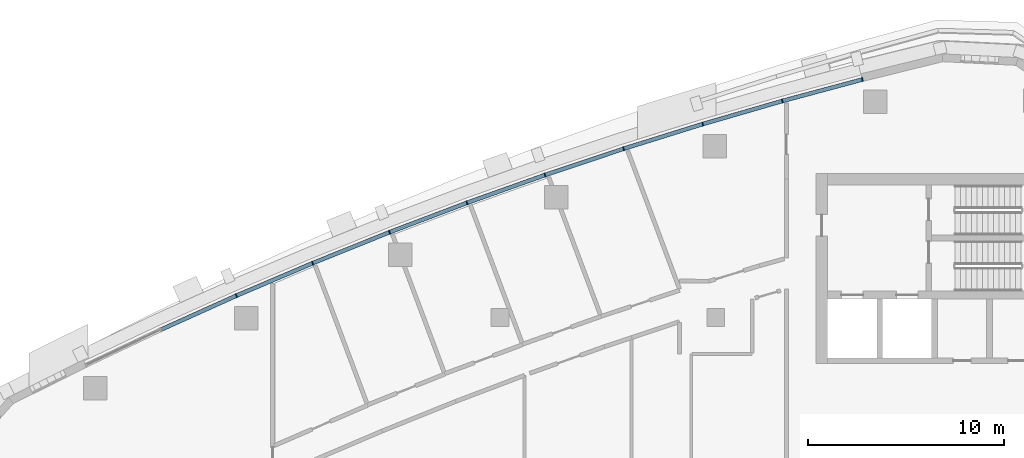
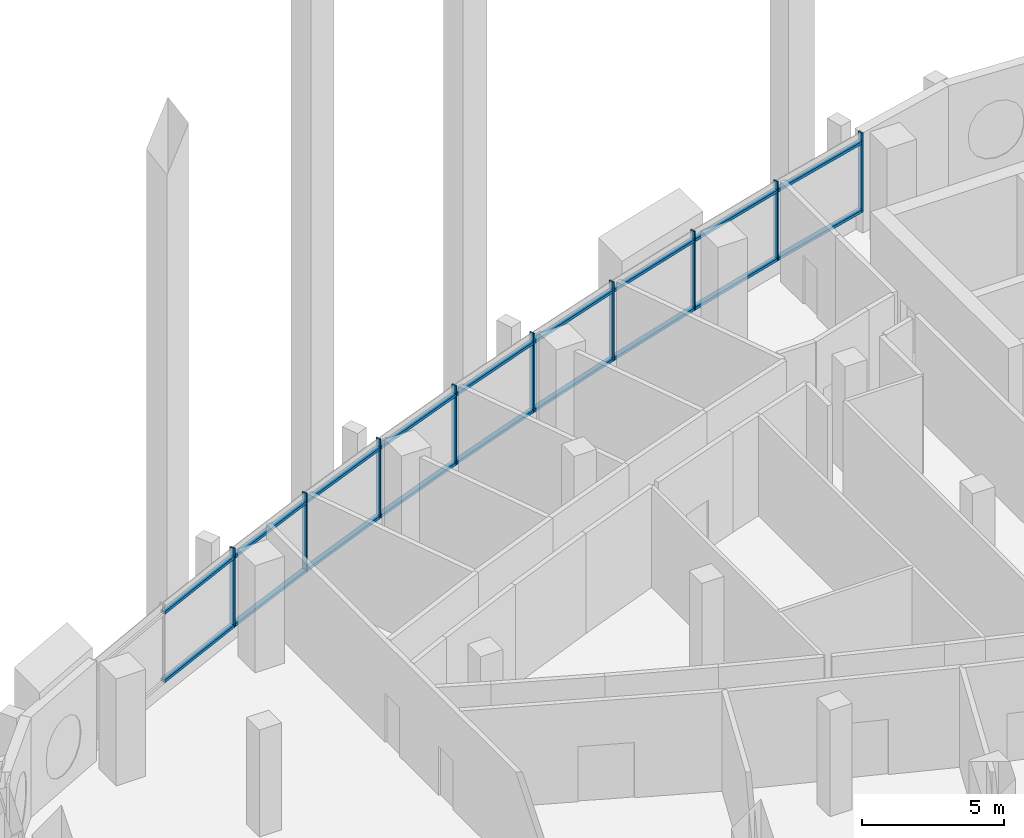
# One storey, part 4 of 15: 27 members, 5 elements without a shape of their own.
"""IFC4 building model written with IfcOpenShell, lengths in metres."""

from ifc_helpers import new_model, si_unit, direction, frame, origin, origin_2d, place, context, subcontext, project, spatial, rectangle, extrude, material, layer, layer_set, material_profile, profile_set, type_object, element, aggregate, save


model = new_model("IFC4")

# Units and contexts
model_context = context("Model", 3, precision=1e-05, world=origin(), true_north=direction((0.0, 1.0)))
body_context = subcontext(model_context, "Body", "Model", "MODEL_VIEW")
ifc_project = project(units=[si_unit("LENGTHUNIT", "METRE"), si_unit("AREAUNIT", "SQUARE_METRE"), si_unit("VOLUMEUNIT", "CUBIC_METRE"), si_unit("PLANEANGLEUNIT", "RADIAN"), si_unit("MASSUNIT", "GRAM", prefix="KILO")], contexts=[model_context])

# Site, building, storey
site_placement = place(None, origin())
site = spatial("IfcSite", under=ifc_project, at=site_placement, CompositionType="ELEMENT")
building_placement = place(site_placement, origin())
building = spatial("IfcBuilding", under=site, at=building_placement, Name="Ostrand Prow Hotel Tower", CompositionType="ELEMENT")
storey_placement = place(building_placement, frame((0.0, 0.0, 216.199951171875)))
storey = spatial("IfcBuildingStorey", under=building, at=storey_placement, Name="L54", CompositionType="ELEMENT", Elevation=216.199951171875)

# Curtain wall, members
ifc_material_1 = material(Name="Insulated glass in bronze anodised frame", Category="glass")
ifc_layer = layer(ifc_material_1, 0.199951171875)
ifc_layer_set = layer_set([ifc_layer], Name="Insulated glass in bronze anodised frame")
curtain_wall_type = type_object("IfcCurtainWallType", Name="Sky lobby full-height curtain wall", PredefinedType="NOTDEFINED", material=ifc_layer_set)
curtain_wall_1_placement = place(storey_placement, origin())
curtain_wall_1 = element("IfcCurtainWall", 1, at=curtain_wall_1_placement, inside=storey, type_object=curtain_wall_type, Name="CW3 run CWN1", PredefinedType="NOTDEFINED")
ifc_material_2 = material(Name="Bronze anodised aluminium", Category="aluminium")
ifc_material_profile_1 = material_profile(ifc_material_2, rectangle(XDim=0.199951171875, YDim=0.06005859375, at=origin_2d()), Name="Mullion 60x200 bronze anodised aluminium")
ifc_profile_set_1 = profile_set([ifc_material_profile_1], Name="Bronze anodised aluminium")
member_type_1 = type_object("IfcMemberType", Name="Mullion 60x200 bronze anodised aluminium", PredefinedType="MULLION", material=ifc_profile_set_1)
member_1_placement = place(storey_placement, frame((52.465576171875, 21.1328125, 0.900146484375), z_axis=(0.0, 0.0, 1.0), x_axis=(0.258994370132, -0.965878831034, 0.0)))
member_1 = element("IfcMember", 2, at=member_1_placement, type_object=member_type_1, Name="CW3 mullion 1", PredefinedType="MULLION", context=body_context, shape_type="SweptSolid", body=[
    extrude(rectangle(XDim=0.199951171875, YDim=0.06005859375, at=origin_2d()), origin(), (0.0, 0.0, 1.0), 3.39990234375),
])
member_2_placement = place(storey_placement, frame((48.385986328125, 20.038818359375, 0.900146484375), z_axis=(0.0, 0.0, 1.0), x_axis=(0.27839270969, -0.960467333745, 0.0)))
member_2 = element("IfcMember", 3, at=member_2_placement, type_object=member_type_1, Name="CW3 mullion 2", PredefinedType="MULLION", context=body_context, shape_type="SweptSolid", body=[
    extrude(rectangle(XDim=0.199951171875, YDim=0.06005859375, at=origin_2d()), origin(), (0.0, 0.0, 1.0), 3.39990234375),
])
member_3_placement = place(storey_placement, frame((44.3291015625, 18.863037109375, 0.900146484375), z_axis=(0.0, 0.0, 1.0), x_axis=(0.27839270969, -0.960467333745, 0.0)))
member_3 = element("IfcMember", 4, at=member_3_placement, type_object=member_type_1, Name="CW3 mullion 3", PredefinedType="MULLION", context=body_context, shape_type="SweptSolid", body=[
    extrude(rectangle(XDim=0.199951171875, YDim=0.06005859375, at=origin_2d()), origin(), (0.0, 0.0, 1.0), 3.39990234375),
])

curtain_wall_2_placement = place(storey_placement, origin())
curtain_wall_2 = element("IfcCurtainWall", 5, at=curtain_wall_2_placement, inside=storey, type_object=curtain_wall_type, Name="CW3 run CWN2", PredefinedType="NOTDEFINED")
member_4_placement = place(storey_placement, frame((40.297119140625, 17.605712890625, 0.900146484375), z_axis=(0.0, 0.0, 1.0), x_axis=(0.31684118017, -0.948478606268, 0.0)))
member_4 = element("IfcMember", 6, at=member_4_placement, type_object=member_type_1, Name="CW3 mullion 2", PredefinedType="MULLION", context=body_context, shape_type="SweptSolid", body=[
    extrude(rectangle(XDim=0.199951171875, YDim=0.06005859375, at=origin_2d()), origin(), (0.0, 0.0, 1.0), 3.39990234375),
])
member_5_placement = place(storey_placement, frame((36.291015625, 16.267578125, 0.900146484375), z_axis=(0.0, 0.0, 1.0), x_axis=(0.31684118017, -0.948478606268, 0.0)))
member_5 = element("IfcMember", 7, at=member_5_placement, type_object=member_type_1, Name="CW3 mullion 3", PredefinedType="MULLION", context=body_context, shape_type="SweptSolid", body=[
    extrude(rectangle(XDim=0.199951171875, YDim=0.06005859375, at=origin_2d()), origin(), (0.0, 0.0, 1.0), 3.39990234375),
])

curtain_wall_3_placement = place(storey_placement, origin())
curtain_wall_3 = element("IfcCurtainWall", 8, at=curtain_wall_3_placement, inside=storey, type_object=curtain_wall_type, Name="CW3 run CWN3", PredefinedType="NOTDEFINED")
member_6_placement = place(storey_placement, frame((32.3125, 14.848876953125, 0.900146484375), z_axis=(0.0, 0.0, 1.0), x_axis=(0.354777361469, -0.934950813567, 0.0)))
member_6 = element("IfcMember", 9, at=member_6_placement, type_object=member_type_1, Name="CW3 mullion 2", PredefinedType="MULLION", context=body_context, shape_type="SweptSolid", body=[
    extrude(rectangle(XDim=0.199951171875, YDim=0.06005859375, at=origin_2d()), origin(), (0.0, 0.0, 1.0), 3.39990234375),
])
member_7_placement = place(storey_placement, frame((28.363525390625, 13.350341796875, 0.900146484375), z_axis=(0.0, 0.0, 1.0), x_axis=(0.354777361469, -0.934950813567, 0.0)))
member_7 = element("IfcMember", 10, at=member_7_placement, type_object=member_type_1, Name="CW3 mullion 3", PredefinedType="MULLION", context=body_context, shape_type="SweptSolid", body=[
    extrude(rectangle(XDim=0.199951171875, YDim=0.06005859375, at=origin_2d()), origin(), (0.0, 0.0, 1.0), 3.39990234375),
])

curtain_wall_4_placement = place(storey_placement, origin())
curtain_wall_4 = element("IfcCurtainWall", 11, at=curtain_wall_4_placement, inside=storey, type_object=curtain_wall_type, Name="CW3 run CWN4", PredefinedType="NOTDEFINED")
member_8_placement = place(storey_placement, frame((24.445556640625, 11.772705078125, 0.900146484375), z_axis=(0.0, 0.0, 1.0), x_axis=(0.392136433347, -0.919907070112, 0.0)))
member_8 = element("IfcMember", 12, at=member_8_placement, type_object=member_type_1, Name="CW3 mullion 2", PredefinedType="MULLION", context=body_context, shape_type="SweptSolid", body=[
    extrude(rectangle(XDim=0.199951171875, YDim=0.06005859375, at=origin_2d()), origin(), (0.0, 0.0, 1.0), 3.39990234375),
])
member_9_placement = place(storey_placement, frame((20.56005859375, 10.116455078125, 0.900146484375), z_axis=(0.0, 0.0, 1.0), x_axis=(0.392136433347, -0.919907070112, 0.0)))
member_9 = element("IfcMember", 13, at=member_9_placement, type_object=member_type_1, Name="CW3 mullion 3", PredefinedType="MULLION", context=body_context, shape_type="SweptSolid", body=[
    extrude(rectangle(XDim=0.199951171875, YDim=0.06005859375, at=origin_2d()), origin(), (0.0, 0.0, 1.0), 3.39990234375),
])

# Member
ifc_material_3 = material(Name="Bronze anodised aluminium", Category="aluminium")
ifc_material_profile_2 = material_profile(ifc_material_3, rectangle(XDim=0.199951171875, YDim=0.1201171875, at=origin_2d()), Name="Transom 120x200 bronze anodised aluminium")
ifc_profile_set_2 = profile_set([ifc_material_profile_2], Name="Bronze anodised aluminium")
member_type_2 = type_object("IfcMemberType", Name="Transom 120x200 bronze anodised aluminium", PredefinedType="USERDEFINED", material=ifc_profile_set_2)
member_10_placement = place(storey_placement, frame((52.4365234375, 21.125, 0.9599609375), z_axis=(-0.96587683346, -0.259001819657, 0.0), x_axis=(0.259001819657, -0.96587683346, 0.0)))
member_10 = element("IfcMember", 14, at=member_10_placement, type_object=member_type_2, Name="CW3 transom 1.1", ObjectType="TRANSOM", PredefinedType="USERDEFINED", context=body_context, shape_type="SweptSolid", body=[
    extrude(rectangle(XDim=0.199951171875, YDim=0.1201171875, at=origin_2d()), origin(), (0.0, 0.0, 1.0), 4.16357421875),
])

member_11_placement = place(storey_placement, frame((52.4365234375, 21.125, 3.900146484375), z_axis=(-0.96587683346, -0.259001819657, 0.0), x_axis=(0.259001819657, -0.96587683346, 0.0)))
member_11 = element("IfcMember", 15, at=member_11_placement, type_object=member_type_2, Name="CW3 transom 1.2", ObjectType="TRANSOM", PredefinedType="USERDEFINED", context=body_context, shape_type="SweptSolid", body=[
    extrude(rectangle(XDim=0.199951171875, YDim=0.1201171875, at=origin_2d()), origin(), (0.0, 0.0, 1.0), 4.16357421875),
])

member_12_placement = place(storey_placement, frame((48.357177734375, 20.030517578125, 0.9599609375), z_axis=(-0.960468183791, -0.278389776976, 0.0), x_axis=(0.278389776976, -0.960468183791, 0.0)))
member_12 = element("IfcMember", 16, at=member_12_placement, type_object=member_type_2, Name="CW3 transom 2.1", ObjectType="TRANSOM", PredefinedType="USERDEFINED", context=body_context, shape_type="SweptSolid", body=[
    extrude(rectangle(XDim=0.199951171875, YDim=0.1201171875, at=origin_2d()), origin(), (0.0, 0.0, 1.0), 4.163818359375),
])

member_13_placement = place(storey_placement, frame((48.357177734375, 20.030517578125, 3.900146484375), z_axis=(-0.960468183791, -0.278389776976, 0.0), x_axis=(0.278389776976, -0.960468183791, 0.0)))
member_13 = element("IfcMember", 17, at=member_13_placement, type_object=member_type_2, Name="CW3 transom 2.2", ObjectType="TRANSOM", PredefinedType="USERDEFINED", context=body_context, shape_type="SweptSolid", body=[
    extrude(rectangle(XDim=0.199951171875, YDim=0.1201171875, at=origin_2d()), origin(), (0.0, 0.0, 1.0), 4.163818359375),
])

aggregate(curtain_wall_1, [member_1, member_2, member_3, member_10, member_11, member_12, member_13])

member_14_placement = place(storey_placement, frame((44.300537109375, 18.85400390625, 0.9599609375), z_axis=(-0.954676966691, -0.297643896746, 0.0), x_axis=(0.297643896746, -0.954676966691, 0.0)))
member_14 = element("IfcMember", 18, at=member_14_placement, type_object=member_type_2, Name="CW3 transom 1.1", ObjectType="TRANSOM", PredefinedType="USERDEFINED", context=body_context, shape_type="SweptSolid", body=[
    extrude(rectangle(XDim=0.199951171875, YDim=0.1201171875, at=origin_2d()), origin(), (0.0, 0.0, 1.0), 4.16357421875),
])

member_15_placement = place(storey_placement, frame((44.300537109375, 18.85400390625, 3.900146484375), z_axis=(-0.954676966691, -0.297643896746, 0.0), x_axis=(0.297643896746, -0.954676966691, 0.0)))
member_15 = element("IfcMember", 19, at=member_15_placement, type_object=member_type_2, Name="CW3 transom 1.2", ObjectType="TRANSOM", PredefinedType="USERDEFINED", context=body_context, shape_type="SweptSolid", body=[
    extrude(rectangle(XDim=0.199951171875, YDim=0.1201171875, at=origin_2d()), origin(), (0.0, 0.0, 1.0), 4.16357421875),
])

member_16_placement = place(storey_placement, frame((40.2685546875, 17.59619140625, 0.9599609375), z_axis=(-0.948489622939, -0.316808199353, 0.0), x_axis=(0.316808199353, -0.948489622939, 0.0)))
member_16 = element("IfcMember", 20, at=member_16_placement, type_object=member_type_2, Name="CW3 transom 2.1", ObjectType="TRANSOM", PredefinedType="USERDEFINED", context=body_context, shape_type="SweptSolid", body=[
    extrude(rectangle(XDim=0.199951171875, YDim=0.1201171875, at=origin_2d()), origin(), (0.0, 0.0, 1.0), 4.16357421875),
])

member_17_placement = place(storey_placement, frame((40.2685546875, 17.59619140625, 3.900146484375), z_axis=(-0.948489622939, -0.316808199353, 0.0), x_axis=(0.316808199353, -0.948489622939, 0.0)))
member_17 = element("IfcMember", 21, at=member_17_placement, type_object=member_type_2, Name="CW3 transom 2.2", ObjectType="TRANSOM", PredefinedType="USERDEFINED", context=body_context, shape_type="SweptSolid", body=[
    extrude(rectangle(XDim=0.199951171875, YDim=0.1201171875, at=origin_2d()), origin(), (0.0, 0.0, 1.0), 4.16357421875),
])

aggregate(curtain_wall_2, [member_4, member_5, member_14, member_15, member_16, member_17])

member_18_placement = place(storey_placement, frame((36.2626953125, 16.25732421875, 0.9599609375), z_axis=(-0.941911594104, -0.335860907061, 0.0), x_axis=(0.335860907061, -0.941911594104, 0.0)))
member_18 = element("IfcMember", 22, at=member_18_placement, type_object=member_type_2, Name="CW3 transom 1.1", ObjectType="TRANSOM", PredefinedType="USERDEFINED", context=body_context, shape_type="SweptSolid", body=[
    extrude(rectangle(XDim=0.199951171875, YDim=0.1201171875, at=origin_2d()), origin(), (0.0, 0.0, 1.0), 4.163818359375),
])

member_19_placement = place(storey_placement, frame((36.2626953125, 16.25732421875, 3.900146484375), z_axis=(-0.941911594104, -0.335860907061, 0.0), x_axis=(0.335860907061, -0.941911594104, 0.0)))
member_19 = element("IfcMember", 23, at=member_19_placement, type_object=member_type_2, Name="CW3 transom 1.2", ObjectType="TRANSOM", PredefinedType="USERDEFINED", context=body_context, shape_type="SweptSolid", body=[
    extrude(rectangle(XDim=0.199951171875, YDim=0.1201171875, at=origin_2d()), origin(), (0.0, 0.0, 1.0), 4.163818359375),
])

member_20_placement = place(storey_placement, frame((32.284423828125, 14.838134765625, 0.9599609375), z_axis=(-0.934960644813, -0.354751451936, 0.0), x_axis=(0.354751451936, -0.934960644813, 0.0)))
member_20 = element("IfcMember", 24, at=member_20_placement, type_object=member_type_2, Name="CW3 transom 2.1", ObjectType="TRANSOM", PredefinedType="USERDEFINED", context=body_context, shape_type="SweptSolid", body=[
    extrude(rectangle(XDim=0.199951171875, YDim=0.1201171875, at=origin_2d()), origin(), (0.0, 0.0, 1.0), 4.16357421875),
])

member_21_placement = place(storey_placement, frame((32.284423828125, 14.838134765625, 3.900146484375), z_axis=(-0.934960644813, -0.354751451936, 0.0), x_axis=(0.354751451936, -0.934960644813, 0.0)))
member_21 = element("IfcMember", 25, at=member_21_placement, type_object=member_type_2, Name="CW3 transom 2.2", ObjectType="TRANSOM", PredefinedType="USERDEFINED", context=body_context, shape_type="SweptSolid", body=[
    extrude(rectangle(XDim=0.199951171875, YDim=0.1201171875, at=origin_2d()), origin(), (0.0, 0.0, 1.0), 4.16357421875),
])

aggregate(curtain_wall_3, [member_6, member_7, member_18, member_19, member_20, member_21])

member_22_placement = place(storey_placement, frame((28.335693359375, 13.339111328125, 0.9599609375), z_axis=(-0.927625049372, -0.373512741119, 0.0), x_axis=(0.373512741119, -0.927625049372, 0.0)))
member_22 = element("IfcMember", 26, at=member_22_placement, type_object=member_type_2, Name="CW3 transom 1.1", ObjectType="TRANSOM", PredefinedType="USERDEFINED", context=body_context, shape_type="SweptSolid", body=[
    extrude(rectangle(XDim=0.199951171875, YDim=0.1201171875, at=origin_2d()), origin(), (0.0, 0.0, 1.0), 4.16357421875),
])

member_23_placement = place(storey_placement, frame((28.335693359375, 13.339111328125, 3.900146484375), z_axis=(-0.927625049372, -0.373512741119, 0.0), x_axis=(0.373512741119, -0.927625049372, 0.0)))
member_23 = element("IfcMember", 27, at=member_23_placement, type_object=member_type_2, Name="CW3 transom 1.2", ObjectType="TRANSOM", PredefinedType="USERDEFINED", context=body_context, shape_type="SweptSolid", body=[
    extrude(rectangle(XDim=0.199951171875, YDim=0.1201171875, at=origin_2d()), origin(), (0.0, 0.0, 1.0), 4.16357421875),
])

member_24_placement = place(storey_placement, frame((24.41796875, 11.760986328125, 0.9599609375), z_axis=(-0.919904541337, -0.392142365509, 0.0), x_axis=(0.392142365509, -0.919904541337, 0.0)))
member_24 = element("IfcMember", 28, at=member_24_placement, type_object=member_type_2, Name="CW3 transom 2.1", ObjectType="TRANSOM", PredefinedType="USERDEFINED", context=body_context, shape_type="SweptSolid", body=[
    extrude(rectangle(XDim=0.199951171875, YDim=0.1201171875, at=origin_2d()), origin(), (0.0, 0.0, 1.0), 4.163818359375),
])

member_25_placement = place(storey_placement, frame((24.41796875, 11.760986328125, 3.900146484375), z_axis=(-0.919904541337, -0.392142365509, 0.0), x_axis=(0.392142365509, -0.919904541337, 0.0)))
member_25 = element("IfcMember", 29, at=member_25_placement, type_object=member_type_2, Name="CW3 transom 2.2", ObjectType="TRANSOM", PredefinedType="USERDEFINED", context=body_context, shape_type="SweptSolid", body=[
    extrude(rectangle(XDim=0.199951171875, YDim=0.1201171875, at=origin_2d()), origin(), (0.0, 0.0, 1.0), 4.163818359375),
])

aggregate(curtain_wall_4, [member_8, member_9, member_22, member_23, member_24, member_25])

# Curtain wall, members
curtain_wall_5_placement = place(storey_placement, origin())
curtain_wall_5 = element("IfcCurtainWall", 30, at=curtain_wall_5_placement, inside=storey, type_object=curtain_wall_type, Name="CW3 run CWN5", PredefinedType="NOTDEFINED")
member_26_placement = place(storey_placement, frame((20.53271484375, 10.10400390625, 0.9599609375), z_axis=(-0.911832617051, -0.410562149353, 0.0), x_axis=(0.410562149353, -0.911832617051, 0.0)))
member_26 = element("IfcMember", 31, at=member_26_placement, type_object=member_type_2, Name="CW3 transom 1.1", ObjectType="TRANSOM", PredefinedType="USERDEFINED", context=body_context, shape_type="SweptSolid", body=[
    extrude(rectangle(XDim=0.199951171875, YDim=0.1201171875, at=origin_2d()), origin(), (0.0, 0.0, 1.0), 4.163818359375),
])
member_27_placement = place(storey_placement, frame((20.53271484375, 10.10400390625, 3.900146484375), z_axis=(-0.911832617051, -0.410562149353, 0.0), x_axis=(0.410562149353, -0.911832617051, 0.0)))
member_27 = element("IfcMember", 32, at=member_27_placement, type_object=member_type_2, Name="CW3 transom 1.2", ObjectType="TRANSOM", PredefinedType="USERDEFINED", context=body_context, shape_type="SweptSolid", body=[
    extrude(rectangle(XDim=0.199951171875, YDim=0.1201171875, at=origin_2d()), origin(), (0.0, 0.0, 1.0), 4.163818359375),
])
aggregate(curtain_wall_5, [member_26, member_27])

save(model, "model.ifc")
